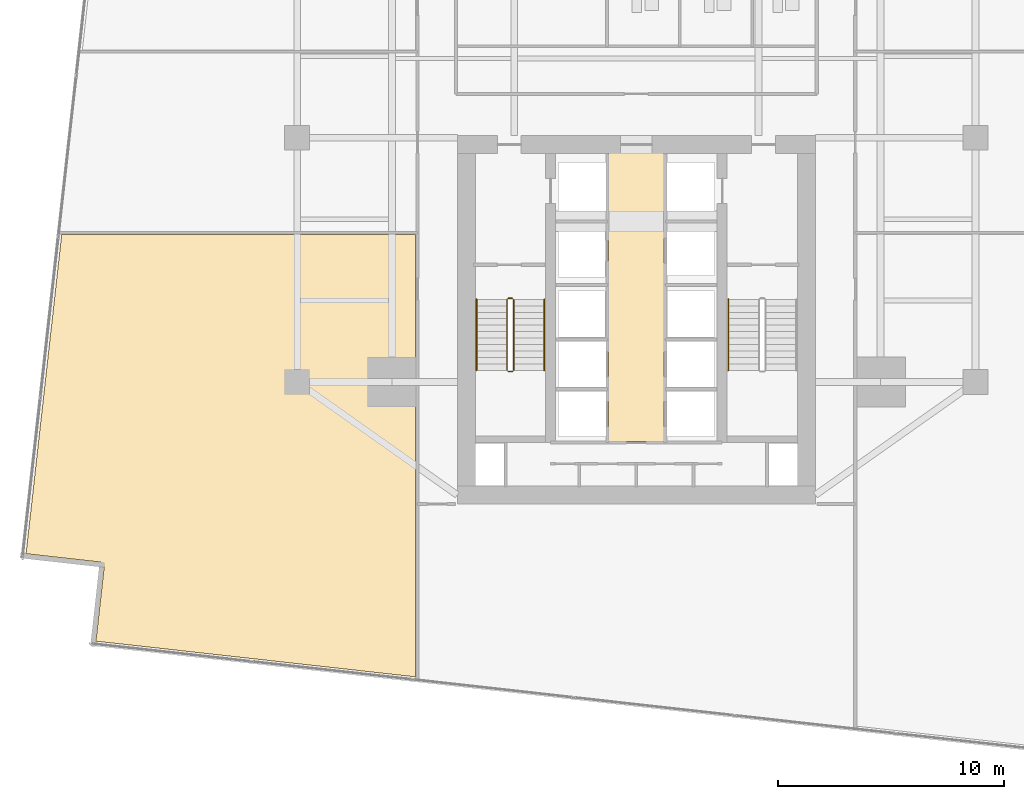
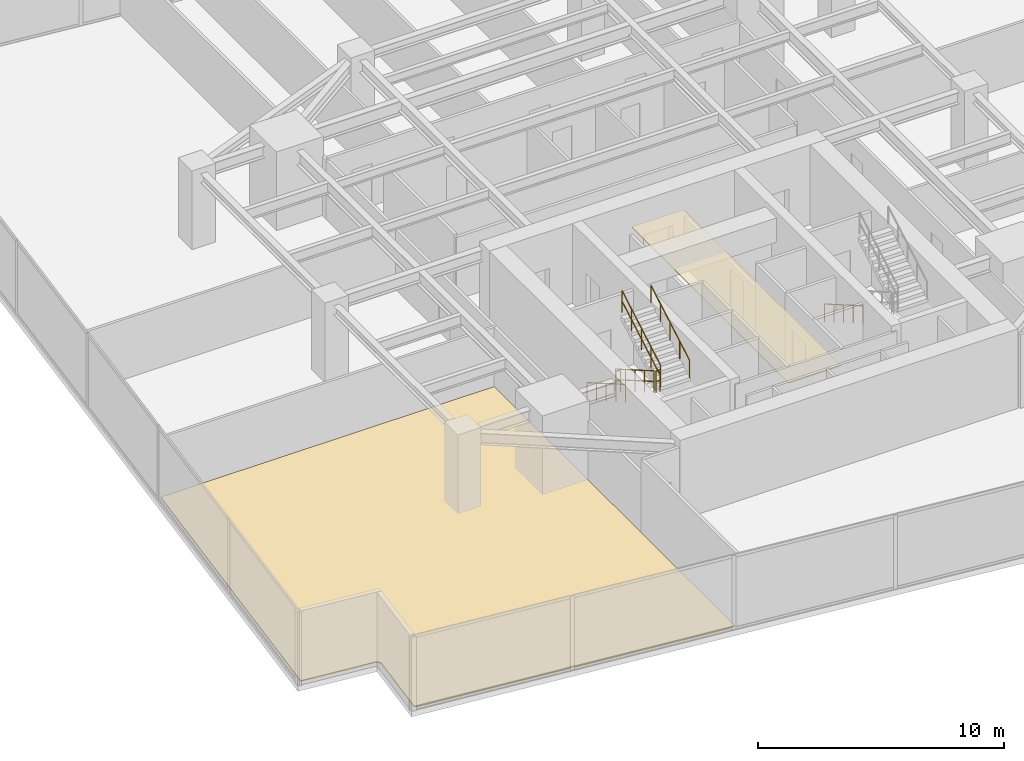
# One storey, part 28 of 31: 7 railings, 2 coverings.
"""IFC4 building model written with IfcOpenShell, lengths in metres."""

from ifc_helpers import new_model, si_unit, direction, frame, origin, origin_2d, place, context, subcontext, project, spatial, polyline, circle, outline, extrude, material, layer, layer_set, type_object, element, save


model = new_model("IFC4")

# Units and contexts
model_context = context("Model", 3, precision=1e-05, world=origin(), true_north=direction((0.0, 1.0)))
body_context = subcontext(model_context, "Body", "Model", "MODEL_VIEW")
ifc_project = project(units=[si_unit("LENGTHUNIT", "METRE"), si_unit("AREAUNIT", "SQUARE_METRE"), si_unit("VOLUMEUNIT", "CUBIC_METRE"), si_unit("PLANEANGLEUNIT", "RADIAN"), si_unit("MASSUNIT", "GRAM", prefix="KILO")], contexts=[model_context])

# Site, building, storey
site_placement = place(None, origin())
site = spatial("IfcSite", under=ifc_project, at=site_placement, CompositionType="ELEMENT")
building_placement = place(site_placement, origin())
building = spatial("IfcBuilding", under=site, at=building_placement, Name="Krantzveldt Concourse Tower", CompositionType="ELEMENT")
storey_placement = place(building_placement, frame((0.0, 0.0, 56.60009765625)))
storey = spatial("IfcBuildingStorey", under=building, at=storey_placement, Name="L13", CompositionType="ELEMENT", Elevation=56.60009765625)

# Coverings
ifc_material_1 = material(Name="Perforated acoustic mineral-fibre ceiling tile", Category="ceiling")
ifc_layer_1 = layer(ifc_material_1, 0.0400390625, Name="Perforated acoustic mineral-fibre ceiling tile", Category="ceiling")
ifc_layer_set_1 = layer_set([ifc_layer_1], Name="Perforated acoustic mineral-fibre ceiling tile (COV-CEIL-ACOUSTIC)")
covering_type_1 = type_object("IfcCoveringType", Name="COV-CEIL-ACOUSTIC", PredefinedType="CEILING", material=ifc_layer_set_1)
covering_1_placement = place(storey_placement, frame((0.0, 0.0, 2.75)))
element("IfcCovering", 1, at=covering_1_placement, inside=storey, type_object=covering_type_1, Name="CLG-L13-LLB", PredefinedType="CEILING", context=body_context, shape_type="SweptSolid", body=[
    extrude(outline(polyline([(37.22509765625, 13.27490234375), (34.77490234375, 13.27490234375), (34.77490234375, 26.044921875), (37.22509765625, 26.044921875), (37.22509765625, 13.27490234375)])), origin(), (0.0, 0.0, 1.0), 0.039794921875),
])
ifc_material_2 = material(Name="Calcium-sulphate raised access floor panel", Category="flooring")
ifc_layer_2 = layer(ifc_material_2, 0.050048828125, Name="Calcium-sulphate raised access floor panel", Category="flooring")
ifc_layer_set_2 = layer_set([ifc_layer_2], Name="Calcium-sulphate raised access floor panel (COV-FLOOR-RAISED)")
covering_type_2 = type_object("IfcCoveringType", Name="COV-FLOOR-RAISED", PredefinedType="FLOORING", material=ifc_layer_set_2)
covering_2_placement = place(storey_placement, origin())
element("IfcCovering", 2, at=covering_2_placement, inside=storey, type_object=covering_type_2, Name="FLR-SP-L13-WR1", PredefinedType="FLOORING", context=body_context, shape_type="SweptSolid", body=[
    extrude(outline(polyline([(26.239990234375, 2.856201171875), (12.10009765625, 4.43603515625), (12.46435546875, 7.69580078125), (12.465576171875, 7.71728515625), (12.46484375, 7.739013671875), (12.4619140625, 7.76025390625), (12.45703125, 7.78125), (12.449951171875, 7.8017578125), (12.441162109375, 7.8212890625), (12.43017578125, 7.840087890625), (12.41748046875, 7.857421875), (12.4033203125, 7.873779296875), (12.387451171875, 7.888427734375), (12.370361328125, 7.901611328125), (12.35205078125, 7.912841796875), (12.33251953125, 7.92236328125), (12.312255859375, 7.929931640625), (12.29150390625, 7.935302734375), (12.27001953125, 7.93896484375), (9.010498046875, 8.302978515625), (10.587646484375, 22.419921875), (26.239990234375, 22.419921875), (26.239990234375, 2.856201171875)])), origin(), (0.0, 0.0, 1.0), 0.0498046875),
])

# Railings
ifc_material_3 = material(Name="Stainless steel 316L", Category="steel")
ifc_layer_3 = layer(ifc_material_3, 0.06005859375, Name="Stainless steel 316L", Category="steel")
ifc_layer_set_3 = layer_set([ifc_layer_3], Name="Stainless steel 316L (RL-GUARD-1120)")
railing_type_1 = type_object("IfcRailingType", Name="RL-GUARD-1120", PredefinedType="GUARDRAIL", material=ifc_layer_set_3)
railing_1_placement = place(storey_placement, frame((30.280029296875, 19.550048828125, 0.16455078125)))
element("IfcRailing", 3, at=railing_1_placement, inside=storey, type_object=railing_type_1, Name="L13 ST-1 stair guard 1", PredefinedType="GUARDRAIL", context=body_context, shape_type="SweptSolid", body=[
    extrude(circle(Radius=0.02392578125, at=origin_2d()), frame((0.0, 0.0, 1.076171875), z_axis=(0.0, -0.865989039225, 0.500062979975), x_axis=(1.0, 0.0, 0.0)), (0.0, 0.0, 1.0), 3.6201171875),
    extrude(circle(Radius=0.02392578125, at=origin_2d()), frame((0.0, 0.0, 0.550048828125), z_axis=(0.0, -0.865989039225, 0.500062979975), x_axis=(1.0, 0.0, 0.0)), (0.0, 0.0, 1.0), 3.6201171875),
    extrude(circle(Radius=0.02099609375, at=origin_2d()), origin(), (0.0, 0.0, 1.0), 1.052001953125),
    extrude(circle(Radius=0.02099609375, at=origin_2d()), frame((0.0, -0.78369140625, 0.45263671875)), (0.0, 0.0, 1.0), 1.052001953125),
    extrude(circle(Radius=0.02099609375, at=origin_2d()), frame((0.0, -1.5673828125, 0.9052734375)), (0.0, 0.0, 1.0), 1.052001953125),
    extrude(circle(Radius=0.02099609375, at=origin_2d()), frame((0.0, -2.351318359375, 1.357666015625)), (0.0, 0.0, 1.0), 1.052001953125),
    extrude(circle(Radius=0.02099609375, at=origin_2d()), frame((0.0, -3.135009765625, 1.810302734375)), (0.0, 0.0, 1.0), 1.052001953125),
])
railing_2_placement = place(storey_placement, frame((30.330078125, 16.364990234375, 1.974853515625)))
element("IfcRailing", 4, at=railing_2_placement, inside=storey, type_object=railing_type_1, Name="L13 ST-1 stair guard 2", PredefinedType="GUARDRAIL", context=body_context, shape_type="SweptSolid", body=[
    extrude(circle(Radius=0.02392578125, at=origin_2d()), frame((0.0, 0.0, 1.076171875), z_axis=(1.0, 0.0, 0.0), x_axis=(0.0, 1.0, 0.0)), (0.0, 0.0, 1.0), 0.199951171875),
    extrude(circle(Radius=0.02392578125, at=origin_2d()), frame((0.0, 0.0, 0.550048828125), z_axis=(1.0, 0.0, 0.0), x_axis=(0.0, 1.0, 0.0)), (0.0, 0.0, 1.0), 0.199951171875),
    extrude(circle(Radius=0.02099609375, at=origin_2d()), origin(), (0.0, 0.0, 1.0), 1.052001953125),
    extrude(circle(Radius=0.02099609375, at=origin_2d()), frame((0.199951171875, 0.0, 0.0)), (0.0, 0.0, 1.0), 1.052001953125),
])
railing_3_placement = place(storey_placement, frame((30.580078125, 16.4150390625, 2.139404296875)))
element("IfcRailing", 5, at=railing_3_placement, inside=storey, type_object=railing_type_1, Name="L13 ST-1 stair guard 3", PredefinedType="GUARDRAIL", context=body_context, shape_type="SweptSolid", body=[
    extrude(circle(Radius=0.02392578125, at=origin_2d()), frame((0.0, 0.0, 1.076171875), z_axis=(0.0, 0.865959834175, 0.500113552702), x_axis=(-1.0, 0.0, 0.0)), (0.0, 0.0, 1.0), 3.620361328125),
    extrude(circle(Radius=0.02392578125, at=origin_2d()), frame((0.0, 0.0, 0.550048828125), z_axis=(0.0, 0.865959834175, 0.500113552702), x_axis=(-1.0, 0.0, 0.0)), (0.0, 0.0, 1.0), 3.620361328125),
    extrude(circle(Radius=0.02099609375, at=origin_2d()), origin(), (0.0, 0.0, 1.0), 1.052001953125),
    extrude(circle(Radius=0.02099609375, at=origin_2d()), frame((0.0, 0.78369140625, 0.45263671875)), (0.0, 0.0, 1.0), 1.052001953125),
    extrude(circle(Radius=0.02099609375, at=origin_2d()), frame((0.0, 1.5673828125, 0.9052734375)), (0.0, 0.0, 1.0), 1.052001953125),
    extrude(circle(Radius=0.02099609375, at=origin_2d()), frame((0.0, 2.351318359375, 1.35791015625)), (0.0, 0.0, 1.0), 1.052001953125),
    extrude(circle(Radius=0.02099609375, at=origin_2d()), frame((0.0, 3.135009765625, 1.810546875)), (0.0, 0.0, 1.0), 1.052001953125),
])
railing_4_placement = place(storey_placement, frame((30.330078125, 19.60009765625, 0.0)))
element("IfcRailing", 6, at=railing_4_placement, inside=storey, type_object=railing_type_1, Name="L13 ST-1 stair guard 4", PredefinedType="GUARDRAIL", context=body_context, shape_type="SweptSolid", body=[
    extrude(circle(Radius=0.02392578125, at=origin_2d()), frame((0.0, 0.0, 1.076171875), z_axis=(1.0, 0.0, 0.0), x_axis=(0.0, 1.0, 0.0)), (0.0, 0.0, 1.0), 0.199951171875),
    extrude(circle(Radius=0.02392578125, at=origin_2d()), frame((0.0, 0.0, 0.550048828125), z_axis=(1.0, 0.0, 0.0), x_axis=(0.0, 1.0, 0.0)), (0.0, 0.0, 1.0), 0.199951171875),
    extrude(circle(Radius=0.02099609375, at=origin_2d()), origin(), (0.0, 0.0, 1.0), 1.052001953125),
    extrude(circle(Radius=0.02099609375, at=origin_2d()), frame((0.199951171875, 0.0, 0.0)), (0.0, 0.0, 1.0), 1.052001953125),
])
ifc_layer_4 = layer(ifc_material_3, 0.050048828125, Name="Stainless steel 316L", Category="steel")
ifc_layer_set_4 = layer_set([ifc_layer_4], Name="Stainless steel 316L (RL-HANDRAIL-920)")
railing_type_2 = type_object("IfcRailingType", Name="RL-HANDRAIL-920", PredefinedType="HANDRAIL", material=ifc_layer_set_4)
railing_5_placement = place(storey_placement, frame((28.929931640625, 19.550048828125, 0.16455078125)))
element("IfcRailing", 7, at=railing_5_placement, inside=storey, type_object=railing_type_2, Name="L13 ST-1 stair handrail 1", PredefinedType="HANDRAIL", context=body_context, shape_type="SweptSolid", body=[
    extrude(circle(Radius=0.02392578125, at=origin_2d()), frame((0.0, 0.0, 0.8759765625), z_axis=(0.0, -0.865989039225, 0.500062979975), x_axis=(1.0, 0.0, 0.0)), (0.0, 0.0, 1.0), 3.6201171875),
    extrude(circle(Radius=0.02099609375, at=origin_2d()), origin(), (0.0, 0.0, 1.0), 0.851806640625),
    extrude(circle(Radius=0.02099609375, at=origin_2d()), frame((0.0, -0.78369140625, 0.45263671875)), (0.0, 0.0, 1.0), 0.851806640625),
    extrude(circle(Radius=0.02099609375, at=origin_2d()), frame((0.0, -1.5673828125, 0.9052734375)), (0.0, 0.0, 1.0), 0.851806640625),
    extrude(circle(Radius=0.02099609375, at=origin_2d()), frame((0.0, -2.351318359375, 1.357666015625)), (0.0, 0.0, 1.0), 0.851806640625),
    extrude(circle(Radius=0.02099609375, at=origin_2d()), frame((0.0, -3.135009765625, 1.810302734375)), (0.0, 0.0, 1.0), 0.851806640625),
])
railing_6_placement = place(storey_placement, frame((31.929931640625, 16.4150390625, 2.139404296875)))
element("IfcRailing", 8, at=railing_6_placement, inside=storey, type_object=railing_type_2, Name="L13 ST-1 stair handrail 2", PredefinedType="HANDRAIL", context=body_context, shape_type="SweptSolid", body=[
    extrude(circle(Radius=0.02392578125, at=origin_2d()), frame((0.0, 0.0, 0.8759765625), z_axis=(0.0, 0.865959834175, 0.500113552702), x_axis=(-1.0, 0.0, 0.0)), (0.0, 0.0, 1.0), 3.620361328125),
    extrude(circle(Radius=0.02099609375, at=origin_2d()), origin(), (0.0, 0.0, 1.0), 0.851806640625),
    extrude(circle(Radius=0.02099609375, at=origin_2d()), frame((0.0, 0.78369140625, 0.45263671875)), (0.0, 0.0, 1.0), 0.851806640625),
    extrude(circle(Radius=0.02099609375, at=origin_2d()), frame((0.0, 1.5673828125, 0.9052734375)), (0.0, 0.0, 1.0), 0.851806640625),
    extrude(circle(Radius=0.02099609375, at=origin_2d()), frame((0.0, 2.351318359375, 1.35791015625)), (0.0, 0.0, 1.0), 0.851806640625),
    extrude(circle(Radius=0.02099609375, at=origin_2d()), frame((0.0, 3.135009765625, 1.810546875)), (0.0, 0.0, 1.0), 0.851806640625),
])
railing_7_placement = place(storey_placement, frame((40.070068359375, 19.550048828125, 0.16455078125)))
element("IfcRailing", 9, at=railing_7_placement, inside=storey, type_object=railing_type_2, Name="L13 ST-2 stair handrail 1", PredefinedType="HANDRAIL", context=body_context, shape_type="SweptSolid", body=[
    extrude(circle(Radius=0.02392578125, at=origin_2d()), frame((0.0, 0.0, 0.8759765625), z_axis=(0.0, -0.865989039225, 0.500062979975), x_axis=(1.0, 0.0, 0.0)), (0.0, 0.0, 1.0), 3.6201171875),
    extrude(circle(Radius=0.02099609375, at=origin_2d()), origin(), (0.0, 0.0, 1.0), 0.851806640625),
    extrude(circle(Radius=0.02099609375, at=origin_2d()), frame((0.0, -0.78369140625, 0.45263671875)), (0.0, 0.0, 1.0), 0.851806640625),
    extrude(circle(Radius=0.02099609375, at=origin_2d()), frame((0.0, -1.5673828125, 0.9052734375)), (0.0, 0.0, 1.0), 0.851806640625),
    extrude(circle(Radius=0.02099609375, at=origin_2d()), frame((0.0, -2.351318359375, 1.357666015625)), (0.0, 0.0, 1.0), 0.851806640625),
    extrude(circle(Radius=0.02099609375, at=origin_2d()), frame((0.0, -3.135009765625, 1.810302734375)), (0.0, 0.0, 1.0), 0.851806640625),
])

save(model, "model.ifc")
